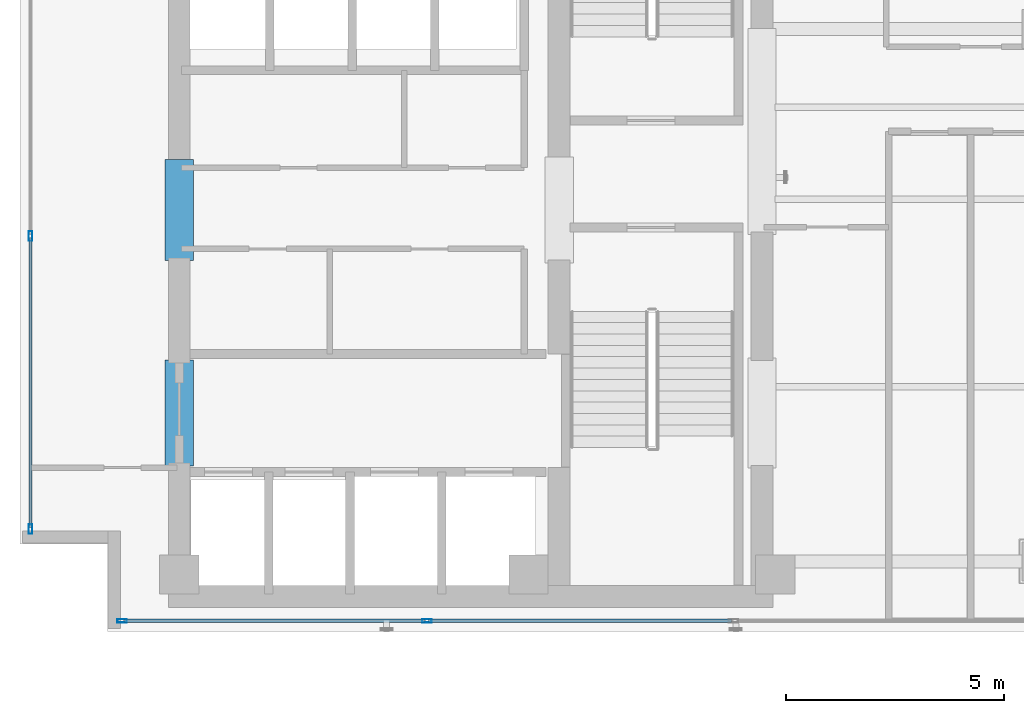
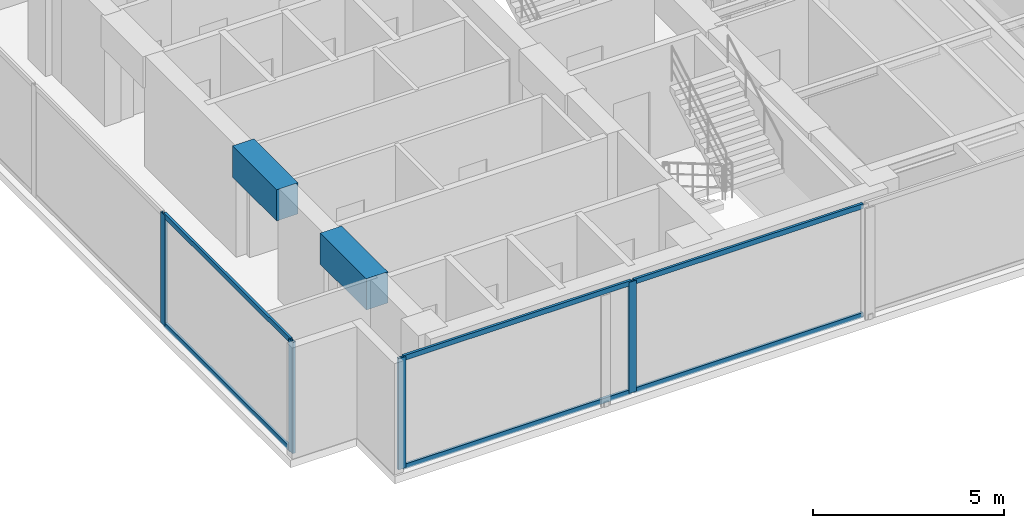
# One storey, part 2 of 23: 10 members, 2 beams, 2 elements without a shape of their own.
"""IFC4 building model written with IfcOpenShell, lengths in metres."""

from ifc_helpers import new_model, si_unit, direction, frame, origin, origin_with_axes, origin_2d, place, context, subcontext, project, spatial, rectangle, hollow_rectangle, extrude, source, transform, mapped, material, layer, layer_set, material_profile, profile_set, type_object, element, aggregate, save


model = new_model("IFC4")

# Units and contexts
model_context = context("Model", 3, precision=1e-05, world=origin(), true_north=direction((0.0, 1.0)))
body_context = subcontext(model_context, "Body", "Model", "MODEL_VIEW")
ifc_project = project(units=[si_unit("LENGTHUNIT", "METRE"), si_unit("AREAUNIT", "SQUARE_METRE"), si_unit("VOLUMEUNIT", "CUBIC_METRE"), si_unit("PLANEANGLEUNIT", "RADIAN"), si_unit("MASSUNIT", "GRAM", prefix="KILO")], contexts=[model_context])

# Site, building, storey
site_placement = place(None, origin())
site = spatial("IfcSite", under=ifc_project, at=site_placement, CompositionType="ELEMENT")
building_placement = place(site_placement, origin())
building = spatial("IfcBuilding", under=site, at=building_placement, Name="Kolvaren Waterfront Exchange", CompositionType="ELEMENT")
storey_placement = place(building_placement, frame((0.0, 0.0, 270.39990234375)))
storey = spatial("IfcBuildingStorey", under=building, at=storey_placement, Name="L69", CompositionType="ELEMENT", Elevation=270.39990234375)

# Beams
ifc_material_1 = material(Name="Concrete C60/75", Category="concrete")
ifc_material_profile_1 = material_profile(ifc_material_1, rectangle(XDim=0.64990234375, YDim=1.0, at=origin_2d()), Name="RC-CB-1000x650")
ifc_profile_set_1 = profile_set([ifc_material_profile_1], Name="Concrete C60/75")
beam_type = type_object("IfcBeamType", Name="STR-CB-1000", PredefinedType="SPANDREL", material=ifc_profile_set_1)
beam_1_placement = place(storey_placement, frame((7.449951171875, 7.389892578125, 3.06005859375), z_axis=(0.0, 1.0, 0.0), x_axis=(-1.0, 0.0, 0.0)))
element("IfcBeam", 1, at=beam_1_placement, inside=storey, type_object=beam_type, Name="L69 core coupling beam 3", PredefinedType="SPANDREL", context=body_context, shape_type="SweptSolid", body=[
    extrude(rectangle(XDim=0.64990234375, YDim=1.0, at=origin_2d()), origin(), (0.0, 0.0, 1.0), 2.420166015625),
])
beam_2_placement = place(storey_placement, frame((7.449951171875, 12.090087890625, 3.06005859375), z_axis=(0.0, 1.0, 0.0), x_axis=(-1.0, 0.0, 0.0)))
element("IfcBeam", 2, at=beam_2_placement, inside=storey, type_object=beam_type, Name="L69 core coupling beam 4", PredefinedType="SPANDREL", context=body_context, shape_type="SweptSolid", body=[
    extrude(rectangle(XDim=0.64990234375, YDim=1.0, at=origin_2d()), origin(), (0.0, 0.0, 1.0), 2.31982421875),
])

# Curtain wall, members
ifc_material_2 = material(Name="Anodised bronze aluminium 6063-T6", Category="aluminium")
ifc_layer_1 = layer(ifc_material_2, 0.219970703125, Name="Anodised bronze aluminium 6063-T6")
ifc_layer_set_1 = layer_set([ifc_layer_1], Name="Anodised bronze aluminium 6063-T6")
curtain_wall_type_1 = type_object("IfcCurtainWallType", Name="ARC-CW-SYS1", PredefinedType="USERDEFINED", material=ifc_layer_set_1)
curtain_wall_1_placement = place(storey_placement, origin())
curtain_wall_1 = element("IfcCurtainWall", 3, at=curtain_wall_1_placement, inside=storey, type_object=curtain_wall_type_1, Name="L69 stick curtain wall CW1 (CW-L69-S)", ObjectType="STICK CURTAIN WALL", PredefinedType="USERDEFINED")
ifc_material_3 = material(Name="Anodised aluminium 6063-T6", Category="aluminium")
ifc_material_profile_2 = material_profile(ifc_material_3, hollow_rectangle(XDim=0.080078125, YDim=0.219970703125, WallThickness=0.0048828125, at=origin_2d()), Name="ALU-MUL-220x80x5")
ifc_profile_set_2 = profile_set([ifc_material_profile_2], Name="Anodised aluminium 6063-T6")
member_type_1 = type_object("IfcMemberType", Name="ARC-CWM-220", PredefinedType="MULLION", material=ifc_profile_set_2)
shared_shape_1 = source(origin_with_axes(), body_context, "Body", "SweptSolid", [
    extrude(hollow_rectangle(XDim=0.080078125, YDim=0.219970703125, WallThickness=0.0048828125, at=origin_2d()), origin(), (0.0, 0.0, 1.0), 3.56005859375),
])
member_1_placement = place(storey_placement, frame((6.139892578125, 3.840087890625, 0.0), z_axis=(0.0, 0.0, 1.0), x_axis=(0.0, 1.0, 0.0)))
member_1 = element("IfcMember", 4, at=member_1_placement, type_object=member_type_1, Name="CW1 mullion 1", PredefinedType="MULLION", context=body_context, shape_type="MappedRepresentation", body=[
    mapped(shared_shape_1, transform((0.0, 0.0, 0.0), x_axis=(1.0, 0.0, 0.0), y_axis=(0.0, 1.0, 0.0), z_axis=(0.0, 0.0, 1.0), scale=1.0)),
])
member_2_placement = place(storey_placement, frame((13.12109375, 3.840087890625, 0.0), z_axis=(0.0, 0.0, 1.0), x_axis=(0.0, 1.0, 0.0)))
member_2 = element("IfcMember", 5, at=member_2_placement, type_object=member_type_1, Name="CW1 mullion 2", PredefinedType="MULLION", context=body_context, shape_type="MappedRepresentation", body=[
    mapped(shared_shape_1, transform((0.0, 0.0, 0.0), x_axis=(1.0, 0.0, 0.0), y_axis=(0.0, 1.0, 0.0), z_axis=(0.0, 0.0, 1.0), scale=1.0)),
])

ifc_layer_2 = layer(ifc_material_3, 0.219970703125, Name="Anodised aluminium 6063-T6")
ifc_layer_set_2 = layer_set([ifc_layer_2], Name="Anodised aluminium 6063-T6")
curtain_wall_type_2 = type_object("IfcCurtainWallType", Name="ARC-CW-SYS2", PredefinedType="USERDEFINED", material=ifc_layer_set_2)
curtain_wall_2_placement = place(storey_placement, origin())
curtain_wall_2 = element("IfcCurtainWall", 6, at=curtain_wall_2_placement, inside=storey, type_object=curtain_wall_type_2, Name="L69 stick curtain wall CW2 (CW-L69-W)", ObjectType="STICK CURTAIN WALL", PredefinedType="USERDEFINED")
member_3_placement = place(storey_placement, frame((4.0400390625, 5.93994140625, 0.0), z_axis=(0.0, 0.0, 1.0), x_axis=(-1.0, 0.0, 0.0)))
member_3 = element("IfcMember", 7, at=member_3_placement, type_object=member_type_1, Name="CW2 mullion 1", PredefinedType="MULLION", context=body_context, shape_type="MappedRepresentation", body=[
    mapped(shared_shape_1, transform((0.0, 0.0, 0.0), x_axis=(1.0, 0.0, 0.0), y_axis=(0.0, 1.0, 0.0), z_axis=(0.0, 0.0, 1.0), scale=1.0)),
])
member_4_placement = place(storey_placement, frame((4.0400390625, 12.654296875, 0.0), z_axis=(0.0, 0.0, 1.0), x_axis=(-1.0, 0.0, 0.0)))
member_4 = element("IfcMember", 8, at=member_4_placement, type_object=member_type_1, Name="CW2 mullion 2", PredefinedType="MULLION", context=body_context, shape_type="MappedRepresentation", body=[
    mapped(shared_shape_1, transform((0.0, 0.0, 0.0), x_axis=(1.0, 0.0, 0.0), y_axis=(0.0, 1.0, 0.0), z_axis=(0.0, 0.0, 1.0), scale=1.0)),
])

# Member
ifc_material_profile_3 = material_profile(ifc_material_3, hollow_rectangle(XDim=0.074951171875, YDim=0.159912109375, WallThickness=0.00439453125, at=origin_2d()), Name="ALU-TRN-160x75x4.5")
ifc_profile_set_3 = profile_set([ifc_material_profile_3], Name="Anodised aluminium 6063-T6")
member_type_2 = type_object("IfcMemberType", Name="ARC-CWT-160", PredefinedType="USERDEFINED", material=ifc_profile_set_3)
shared_shape_2 = source(origin_with_axes(), body_context, "Body", "SweptSolid", [
    extrude(hollow_rectangle(XDim=0.074951171875, YDim=0.159912109375, WallThickness=0.00439453125, at=origin_2d()), origin(), (0.0, 0.0, 1.0), 6.901123046875),
])
member_5_placement = place(storey_placement, frame((6.179931640625, 3.840087890625, 0.03759765625), z_axis=(1.0, 0.0, 0.0), x_axis=(0.0, 1.0, 0.0)))
member_5 = element("IfcMember", 9, at=member_5_placement, type_object=member_type_2, Name="CW1 transom 1.1", ObjectType="TRANSOM", PredefinedType="USERDEFINED", context=body_context, shape_type="MappedRepresentation", body=[
    mapped(shared_shape_2, transform((0.0, 0.0, 0.0), x_axis=(1.0, 0.0, 0.0), y_axis=(0.0, 1.0, 0.0), z_axis=(0.0, 0.0, 1.0), scale=1.0)),
])

member_6_placement = place(storey_placement, frame((6.179931640625, 3.840087890625, 3.522705078125), z_axis=(1.0, 0.0, 0.0), x_axis=(0.0, 1.0, 0.0)))
member_6 = element("IfcMember", 10, at=member_6_placement, type_object=member_type_2, Name="CW1 transom 1.2", ObjectType="TRANSOM", PredefinedType="USERDEFINED", context=body_context, shape_type="MappedRepresentation", body=[
    mapped(shared_shape_2, transform((0.0, 0.0, 0.0), x_axis=(1.0, 0.0, 0.0), y_axis=(0.0, 1.0, 0.0), z_axis=(0.0, 0.0, 1.0), scale=1.0)),
])

shared_shape_3 = source(origin_with_axes(), body_context, "Body", "SweptSolid", [
    extrude(hollow_rectangle(XDim=0.074951171875, YDim=0.159912109375, WallThickness=0.00439453125, at=origin_2d()), origin(), (0.0, 0.0, 1.0), 6.94091796875),
])
member_7_placement = place(storey_placement, frame((13.1611328125, 3.840087890625, 0.03759765625), z_axis=(1.0, 0.0, 0.0), x_axis=(0.0, 1.0, 0.0)))
member_7 = element("IfcMember", 11, at=member_7_placement, type_object=member_type_2, Name="CW1 transom 2.1", ObjectType="TRANSOM", PredefinedType="USERDEFINED", context=body_context, shape_type="MappedRepresentation", body=[
    mapped(shared_shape_3, transform((0.0, 0.0, 0.0), x_axis=(1.0, 0.0, 0.0), y_axis=(0.0, 1.0, 0.0), z_axis=(0.0, 0.0, 1.0), scale=1.0)),
])

member_8_placement = place(storey_placement, frame((13.1611328125, 3.840087890625, 3.522705078125), z_axis=(1.0, 0.0, 0.0), x_axis=(0.0, 1.0, 0.0)))
member_8 = element("IfcMember", 12, at=member_8_placement, type_object=member_type_2, Name="CW1 transom 2.2", ObjectType="TRANSOM", PredefinedType="USERDEFINED", context=body_context, shape_type="MappedRepresentation", body=[
    mapped(shared_shape_3, transform((0.0, 0.0, 0.0), x_axis=(1.0, 0.0, 0.0), y_axis=(0.0, 1.0, 0.0), z_axis=(0.0, 0.0, 1.0), scale=1.0)),
])

aggregate(curtain_wall_1, [member_1, member_2, member_5, member_6, member_7, member_8])

shared_shape_4 = source(origin_with_axes(), body_context, "Body", "SweptSolid", [
    extrude(hollow_rectangle(XDim=0.074951171875, YDim=0.159912109375, WallThickness=0.00439453125, at=origin_2d()), origin(), (0.0, 0.0, 1.0), 6.634521484375),
])
member_9_placement = place(storey_placement, frame((4.0400390625, 5.97998046875, 0.03759765625), z_axis=(0.0, 1.0, 0.0), x_axis=(-1.0, 0.0, 0.0)))
member_9 = element("IfcMember", 13, at=member_9_placement, type_object=member_type_2, Name="CW2 transom 1.1", ObjectType="TRANSOM", PredefinedType="USERDEFINED", context=body_context, shape_type="MappedRepresentation", body=[
    mapped(shared_shape_4, transform((0.0, 0.0, 0.0), x_axis=(1.0, 0.0, 0.0), y_axis=(0.0, 1.0, 0.0), z_axis=(0.0, 0.0, 1.0), scale=1.0)),
])

member_10_placement = place(storey_placement, frame((4.0400390625, 5.97998046875, 3.522705078125), z_axis=(0.0, 1.0, 0.0), x_axis=(-1.0, 0.0, 0.0)))
member_10 = element("IfcMember", 14, at=member_10_placement, type_object=member_type_2, Name="CW2 transom 1.2", ObjectType="TRANSOM", PredefinedType="USERDEFINED", context=body_context, shape_type="MappedRepresentation", body=[
    mapped(shared_shape_4, transform((0.0, 0.0, 0.0), x_axis=(1.0, 0.0, 0.0), y_axis=(0.0, 1.0, 0.0), z_axis=(0.0, 0.0, 1.0), scale=1.0)),
])

aggregate(curtain_wall_2, [member_3, member_4, member_9, member_10])

save(model, "model.ifc")
